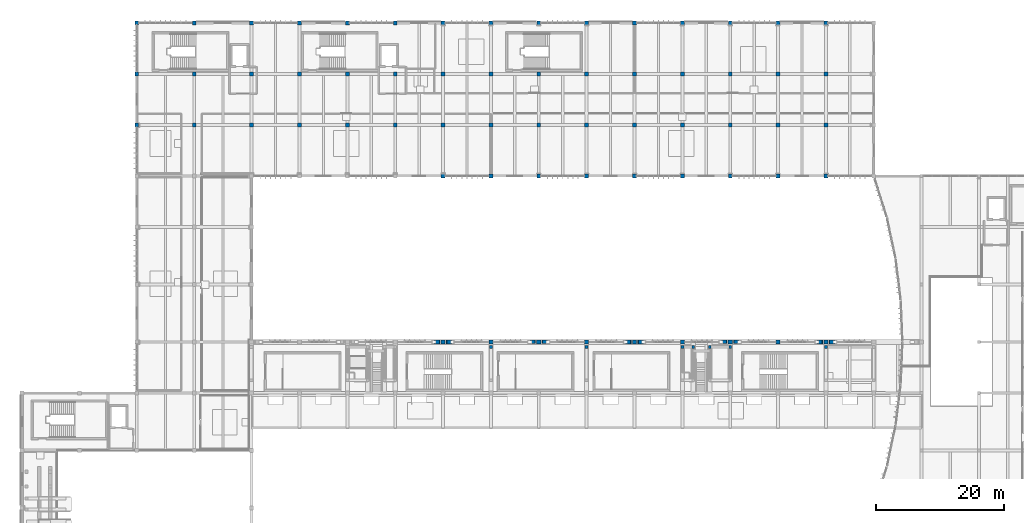
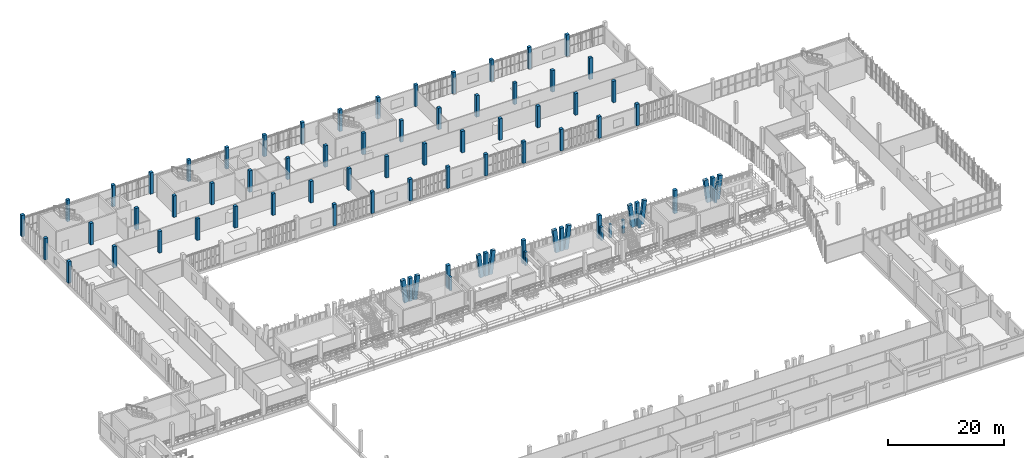
# One storey, part 2 of 81: 80 columns.
"""IFC4 building model written with IfcOpenShell, lengths in metres."""

from ifc_helpers import new_model, si_unit, direction, frame, origin, origin_2d, place, context, subcontext, project, spatial, rectangle, extrude, material, material_profile, profile_set, type_object, element, save


model = new_model("IFC4")

# Units and contexts
model_context = context("Model", 3, precision=1e-05, world=origin(), true_north=direction((0.0, 1.0)))
body_context = subcontext(model_context, "Body", "Model", "MODEL_VIEW")
ifc_project = project(units=[si_unit("LENGTHUNIT", "METRE"), si_unit("AREAUNIT", "SQUARE_METRE"), si_unit("VOLUMEUNIT", "CUBIC_METRE"), si_unit("PLANEANGLEUNIT", "RADIAN"), si_unit("MASSUNIT", "GRAM", prefix="KILO")], contexts=[model_context])

# Site, building, storey
site_placement = place(None, origin())
site = spatial("IfcSite", under=ifc_project, at=site_placement, CompositionType="ELEMENT")
building_placement = place(site_placement, origin())
building = spatial("IfcBuilding", under=site, at=building_placement, Name="Vourika Railside Aquatics Centre", CompositionType="ELEMENT")
storey_placement = place(building_placement, frame((0.0, 0.0, 4.800048828125)))
storey = spatial("IfcBuildingStorey", under=building, at=storey_placement, Name="L01", CompositionType="ELEMENT", Elevation=4.800048828125)

# Columns
ifc_material_1 = material(Name="Concrete C40/50", Category="concrete")
ifc_material_profile_1 = material_profile(ifc_material_1, rectangle(XDim=0.60009765625, YDim=0.800048828125, at=origin_2d()), Name="RC 600x800")
ifc_profile_set_1 = profile_set([ifc_material_profile_1], Name="Concrete C40/50")
column_type_1 = type_object("IfcColumnType", Name="COL-PIER-V", PredefinedType="USERDEFINED", material=ifc_profile_set_1)
for number, where, z_axis, x_axis, name in (
    (1, (65.14990234375, 66.0, 0.0), (-0.122749528587, 0.0, 0.992437682291), (0.0, -1.0, 0.0), "V-Splayed Vault Pier 66/66-W"),
    (2, (66.85009765625, 66.0, 0.0), (0.122749528587, 0.0, 0.992437682291), (0.0, 1.0, 0.0), "V-Splayed Vault Pier 66/66-E"),
    (3, (95.14990234375, 66.0, 0.0), (-0.122749528587, 0.0, 0.992437682291), (0.0, -1.0, 0.0), "V-Splayed Vault Pier 96/66-W"),
    (4, (96.85009765625, 66.0, 0.0), (0.122749528587, 0.0, 0.992437682291), (0.0, 1.0, 0.0), "V-Splayed Vault Pier 96/66-E"),
    (5, (125.14990234375, 66.0, 0.0), (-0.122749528587, 0.0, 0.992437682291), (0.0, -1.0, 0.0), "V-Splayed Vault Pier 126/66-W"),
    (6, (126.85009765625, 66.0, 0.0), (0.122749528587, 0.0, 0.992437682291), (0.0, 1.0, 0.0), "V-Splayed Vault Pier 126/66-E"),
):
    element("IfcColumn", number, at=place(storey_placement, frame(where, z_axis=z_axis, x_axis=x_axis)), inside=storey, type_object=column_type_1, Name=name, ObjectType="SPLAYED PIER", PredefinedType="USERDEFINED", context=body_context, shape_type="SweptSolid", body=[
        extrude(rectangle(XDim=0.60009765625, YDim=0.800048828125, at=origin_2d()), origin(), (0.0, 0.0, 1.0), 4.88671875),
    ])
ifc_material_profile_2 = material_profile(ifc_material_1, rectangle(XDim=0.550048828125, YDim=0.75, at=origin_2d()), Name="RC 550x750")
ifc_profile_set_2 = profile_set([ifc_material_profile_2], Name="Concrete C40/50")
column_type_2 = type_object("IfcColumnType", Name="COL-PIER-V2", PredefinedType="USERDEFINED", material=ifc_profile_set_2)
for number, where, z_axis, x_axis, name in (
    (7, (80.14990234375, 66.0, 0.0), (-0.122749528587, 0.0, 0.992437682291), (0.0, -1.0, 0.0), "V-Splayed Vault Pier 81/66-W"),
    (8, (81.85009765625, 66.0, 0.0), (0.122749528587, 0.0, 0.992437682291), (0.0, 1.0, 0.0), "V-Splayed Vault Pier 81/66-E"),
    (9, (110.14990234375, 66.0, 0.0), (-0.122749528587, 0.0, 0.992437682291), (0.0, -1.0, 0.0), "V-Splayed Vault Pier 111/66-W"),
    (10, (111.85009765625, 66.0, 0.0), (0.122749528587, 0.0, 0.992437682291), (0.0, 1.0, 0.0), "V-Splayed Vault Pier 111/66-E"),
):
    element("IfcColumn", number, at=place(storey_placement, frame(where, z_axis=z_axis, x_axis=x_axis)), inside=storey, type_object=column_type_2, Name=name, ObjectType="SPLAYED PIER", PredefinedType="USERDEFINED", context=body_context, shape_type="SweptSolid", body=[
        extrude(rectangle(XDim=0.550048828125, YDim=0.75, at=origin_2d()), origin(), (0.0, 0.0, 1.0), 4.88671875),
    ])
ifc_material_2 = material(Name="Concrete C35/45", Category="concrete")
ifc_material_profile_3 = material_profile(ifc_material_2, rectangle(XDim=0.449951171875, YDim=0.449951171875, at=origin_2d()), Name="RC 450x450")
ifc_profile_set_3 = profile_set([ifc_material_profile_3], Name="Concrete C35/45")
column_type_3 = type_object("IfcColumnType", Name="COL-RC450", PredefinedType="COLUMN", material=ifc_profile_set_3)
for number, where, z_axis, x_axis, name in (
    (11, (73.5, 65.199951171875, 0.0), (0.0, 0.0, 1.0), (1.0, 0.0, 0.0), "Upper Stand Rear Column 73.5"),
    (12, (88.5, 65.199951171875, 0.0), (0.0, 0.0, 1.0), (1.0, 0.0, 0.0), "Upper Stand Rear Column 88.5"),
    (13, (103.5, 65.199951171875, 0.0), (0.0, 0.0, 1.0), (1.0, 0.0, 0.0), "Upper Stand Rear Column 103.5"),
    (14, (111.0, 65.199951171875, 0.0), (0.0, 0.0, 1.0), (1.0, 0.0, 0.0), "Upper Stand Rear Column 111.0"),
    (15, (126.0, 65.199951171875, 0.0), (0.0, 0.0, 1.0), (1.0, 0.0, 0.0), "Upper Stand Rear Column 126.0"),
    (16, (105.199951171875, 65.199951171875, 0.0), (0.0, 0.0, 1.0), (1.0, 0.0, 0.0), "Vomitory Trimmer Rear Column 105.2"),
    (17, (107.800048828125, 65.199951171875, 0.0), (0.0, 0.0, 1.0), (1.0, 0.0, 0.0), "Vomitory Trimmer Rear Column 107.8"),
):
    element("IfcColumn", number, at=place(storey_placement, frame(where, z_axis=z_axis, x_axis=x_axis)), inside=storey, type_object=column_type_3, Name=name, PredefinedType="COLUMN", context=body_context, shape_type="SweptSolid", body=[
        extrude(rectangle(XDim=0.449951171875, YDim=0.449951171875, at=origin_2d()), origin(), (0.0, 0.0, 1.0), 2.804931640625),
    ])
ifc_material_profile_4 = material_profile(ifc_material_1, rectangle(XDim=0.60009765625, YDim=0.60009765625, at=origin_2d()), Name="RC 600x600")
ifc_profile_set_4 = profile_set([ifc_material_profile_4], Name="Concrete C40/50")
column_type_4 = type_object("IfcColumnType", Name="COL-RC600", PredefinedType="COLUMN", material=ifc_profile_set_4)
for number, where, z_axis, x_axis, name in (
    (18, (18.0, 100.0, 0.0), (0.0, 0.0, 1.0), (1.0, 0.0, 0.0), "Column col:L01:180_1000"),
    (19, (18.0, 108.0, 0.0), (0.0, 0.0, 1.0), (1.0, 0.0, 0.0), "Column col:L01:180_1080"),
    (20, (18.0, 116.0, 0.0), (0.0, 0.0, 1.0), (1.0, 0.0, 0.0), "Column col:L01:180_1160"),
    (21, (27.0, 100.0, 0.0), (0.0, 0.0, 1.0), (1.0, 0.0, 0.0), "Column col:L01:270_1000"),
    (22, (27.0, 108.0, 0.0), (0.0, 0.0, 1.0), (1.0, 0.0, 0.0), "Column col:L01:270_1080"),
    (23, (27.0, 116.0, 0.0), (0.0, 0.0, 1.0), (1.0, 0.0, 0.0), "Column col:L01:270_1160"),
    (24, (36.0, 100.0, 0.0), (0.0, 0.0, 1.0), (1.0, 0.0, 0.0), "Column col:L01:360_1000"),
    (25, (36.0, 108.0, 0.0), (0.0, 0.0, 1.0), (1.0, 0.0, 0.0), "Column col:L01:360_1080"),
    (26, (36.0, 116.0, 0.0), (0.0, 0.0, 1.0), (1.0, 0.0, 0.0), "Column col:L01:360_1160"),
    (27, (43.5, 100.0, 0.0), (0.0, 0.0, 1.0), (1.0, 0.0, 0.0), "Column col:L01:435_1000"),
    (28, (43.5, 108.0, 0.0), (0.0, 0.0, 1.0), (1.0, 0.0, 0.0), "Column col:L01:435_1080"),
    (29, (43.5, 116.0, 0.0), (0.0, 0.0, 1.0), (1.0, 0.0, 0.0), "Column col:L01:435_1160"),
    (30, (51.0, 100.0, 0.0), (0.0, 0.0, 1.0), (1.0, 0.0, 0.0), "Column col:L01:510_1000"),
    (31, (51.0, 108.0, 0.0), (0.0, 0.0, 1.0), (1.0, 0.0, 0.0), "Column col:L01:510_1080"),
    (32, (51.0, 116.0, 0.0), (0.0, 0.0, 1.0), (1.0, 0.0, 0.0), "Column col:L01:510_1160"),
    (33, (58.5, 100.0, 0.0), (0.0, 0.0, 1.0), (1.0, 0.0, 0.0), "Column col:L01:585_1000"),
    (34, (58.5, 108.0, 0.0), (0.0, 0.0, 1.0), (1.0, 0.0, 0.0), "Column col:L01:585_1080"),
    (35, (58.5, 116.0, 0.0), (0.0, 0.0, 1.0), (1.0, 0.0, 0.0), "Column col:L01:585_1160"),
    (36, (66.0, 92.0, 0.0), (0.0, 0.0, 1.0), (1.0, 0.0, 0.0), "Column col:L01:660_920"),
    (37, (66.0, 100.0, 0.0), (0.0, 0.0, 1.0), (1.0, 0.0, 0.0), "Column col:L01:660_1000"),
    (38, (66.0, 108.0, 0.0), (0.0, 0.0, 1.0), (1.0, 0.0, 0.0), "Column col:L01:660_1080"),
    (39, (66.0, 116.0, 0.0), (0.0, 0.0, 1.0), (1.0, 0.0, 0.0), "Column col:L01:660_1160"),
    (40, (73.5, 92.0, 0.0), (0.0, 0.0, 1.0), (1.0, 0.0, 0.0), "Column col:L01:735_920"),
    (41, (73.5, 100.0, 0.0), (0.0, 0.0, 1.0), (1.0, 0.0, 0.0), "Column col:L01:735_1000"),
    (42, (73.5, 108.0, 0.0), (0.0, 0.0, 1.0), (1.0, 0.0, 0.0), "Column col:L01:735_1080"),
    (43, (73.5, 116.0, 0.0), (0.0, 0.0, 1.0), (1.0, 0.0, 0.0), "Column col:L01:735_1160"),
    (44, (81.0, 92.0, 0.0), (0.0, 0.0, 1.0), (1.0, 0.0, 0.0), "Column col:L01:810_920"),
    (45, (81.0, 100.0, 0.0), (0.0, 0.0, 1.0), (1.0, 0.0, 0.0), "Column col:L01:810_1000"),
    (46, (81.0, 108.0, 0.0), (0.0, 0.0, 1.0), (1.0, 0.0, 0.0), "Column col:L01:810_1080"),
    (47, (81.0, 116.0, 0.0), (0.0, 0.0, 1.0), (1.0, 0.0, 0.0), "Column col:L01:810_1160"),
    (48, (88.5, 92.0, 0.0), (0.0, 0.0, 1.0), (1.0, 0.0, 0.0), "Column col:L01:885_920"),
    (49, (88.5, 100.0, 0.0), (0.0, 0.0, 1.0), (1.0, 0.0, 0.0), "Column col:L01:885_1000"),
    (50, (88.5, 108.0, 0.0), (0.0, 0.0, 1.0), (1.0, 0.0, 0.0), "Column col:L01:885_1080"),
    (51, (88.5, 116.0, 0.0), (0.0, 0.0, 1.0), (1.0, 0.0, 0.0), "Column col:L01:885_1160"),
    (52, (96.0, 92.0, 0.0), (0.0, 0.0, 1.0), (1.0, 0.0, 0.0), "Column col:L01:960_920"),
    (53, (96.0, 100.0, 0.0), (0.0, 0.0, 1.0), (1.0, 0.0, 0.0), "Column col:L01:960_1000"),
    (54, (96.0, 108.0, 0.0), (0.0, 0.0, 1.0), (1.0, 0.0, 0.0), "Column col:L01:960_1080"),
    (55, (96.0, 116.0, 0.0), (0.0, 0.0, 1.0), (1.0, 0.0, 0.0), "Column col:L01:960_1160"),
    (56, (103.5, 92.0, 0.0), (0.0, 0.0, 1.0), (1.0, 0.0, 0.0), "Column col:L01:1035_920"),
    (57, (103.5, 100.0, 0.0), (0.0, 0.0, 1.0), (1.0, 0.0, 0.0), "Column col:L01:1035_1000"),
    (58, (103.5, 108.0, 0.0), (0.0, 0.0, 1.0), (1.0, 0.0, 0.0), "Column col:L01:1035_1080"),
    (59, (103.5, 116.0, 0.0), (0.0, 0.0, 1.0), (1.0, 0.0, 0.0), "Column col:L01:1035_1160"),
    (60, (111.0, 92.0, 0.0), (0.0, 0.0, 1.0), (1.0, 0.0, 0.0), "Column col:L01:1110_920"),
    (61, (111.0, 100.0, 0.0), (0.0, 0.0, 1.0), (1.0, 0.0, 0.0), "Column col:L01:1110_1000"),
    (62, (111.0, 108.0, 0.0), (0.0, 0.0, 1.0), (1.0, 0.0, 0.0), "Column col:L01:1110_1080"),
    (63, (111.0, 116.0, 0.0), (0.0, 0.0, 1.0), (1.0, 0.0, 0.0), "Column col:L01:1110_1160"),
    (64, (118.5, 92.0, 0.0), (0.0, 0.0, 1.0), (1.0, 0.0, 0.0), "Column col:L01:1185_920"),
    (65, (118.5, 100.0, 0.0), (0.0, 0.0, 1.0), (1.0, 0.0, 0.0), "Column col:L01:1185_1000"),
    (66, (118.5, 108.0, 0.0), (0.0, 0.0, 1.0), (1.0, 0.0, 0.0), "Column col:L01:1185_1080"),
    (67, (118.5, 116.0, 0.0), (0.0, 0.0, 1.0), (1.0, 0.0, 0.0), "Column col:L01:1185_1160"),
    (68, (126.0, 92.0, 0.0), (0.0, 0.0, 1.0), (1.0, 0.0, 0.0), "Column col:L01:1260_920"),
    (69, (126.0, 100.0, 0.0), (0.0, 0.0, 1.0), (1.0, 0.0, 0.0), "Column col:L01:1260_1000"),
    (70, (126.0, 108.0, 0.0), (0.0, 0.0, 1.0), (1.0, 0.0, 0.0), "Column col:L01:1260_1080"),
    (71, (126.0, 116.0, 0.0), (0.0, 0.0, 1.0), (1.0, 0.0, 0.0), "Column col:L01:1260_1160"),
):
    element("IfcColumn", number, at=place(storey_placement, frame(where, z_axis=z_axis, x_axis=x_axis)), inside=storey, type_object=column_type_4, Name=name, PredefinedType="COLUMN", context=body_context, shape_type="SweptSolid", body=[
        extrude(rectangle(XDim=0.60009765625, YDim=0.60009765625, at=origin_2d()), origin(), (0.0, 0.0, 1.0), 4.5),
    ])
ifc_material_profile_5 = material_profile(ifc_material_1, rectangle(XDim=0.64990234375, YDim=0.64990234375, at=origin_2d()), Name="RC 650x650")
ifc_profile_set_5 = profile_set([ifc_material_profile_5], Name="Concrete C40/50")
column_type_5 = type_object("IfcColumnType", Name="COL-RC650", PredefinedType="COLUMN", material=ifc_profile_set_5)
for number, where, z_axis, x_axis, name in (
    (72, (66.0, 66.0, 0.0), (0.0, 0.0, 1.0), (1.0, 0.0, 0.0), "Column col:L01:660_660"),
    (73, (73.5, 66.0, 0.0), (0.0, 0.0, 1.0), (1.0, 0.0, 0.0), "Column col:L01:735_660"),
    (74, (81.0, 66.0, 0.0), (0.0, 0.0, 1.0), (1.0, 0.0, 0.0), "Column col:L01:810_660"),
    (75, (88.5, 66.0, 0.0), (0.0, 0.0, 1.0), (1.0, 0.0, 0.0), "Column col:L01:885_660"),
    (76, (96.0, 66.0, 0.0), (0.0, 0.0, 1.0), (1.0, 0.0, 0.0), "Column col:L01:960_660"),
    (77, (103.5, 66.0, 0.0), (0.0, 0.0, 1.0), (1.0, 0.0, 0.0), "Column col:L01:1035_660"),
    (78, (111.0, 66.0, 0.0), (0.0, 0.0, 1.0), (1.0, 0.0, 0.0), "Column col:L01:1110_660"),
    (79, (118.5, 66.0, 0.0), (0.0, 0.0, 1.0), (1.0, 0.0, 0.0), "Column col:L01:1185_660"),
    (80, (126.0, 66.0, 0.0), (0.0, 0.0, 1.0), (1.0, 0.0, 0.0), "Column col:L01:1260_660"),
):
    element("IfcColumn", number, at=place(storey_placement, frame(where, z_axis=z_axis, x_axis=x_axis)), inside=storey, type_object=column_type_5, Name=name, PredefinedType="COLUMN", context=body_context, shape_type="SweptSolid", body=[
        extrude(rectangle(XDim=0.64990234375, YDim=0.64990234375, at=origin_2d()), origin(), (0.0, 0.0, 1.0), 4.849853515625),
    ])

save(model, "model.ifc")
